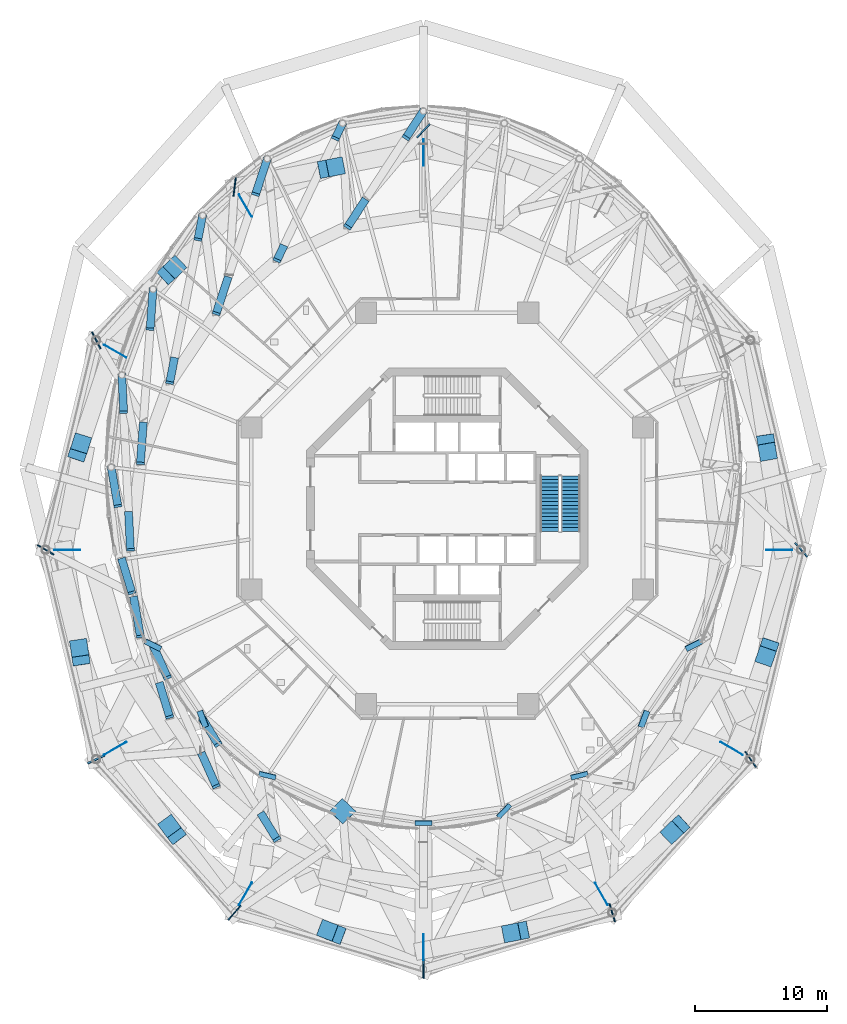
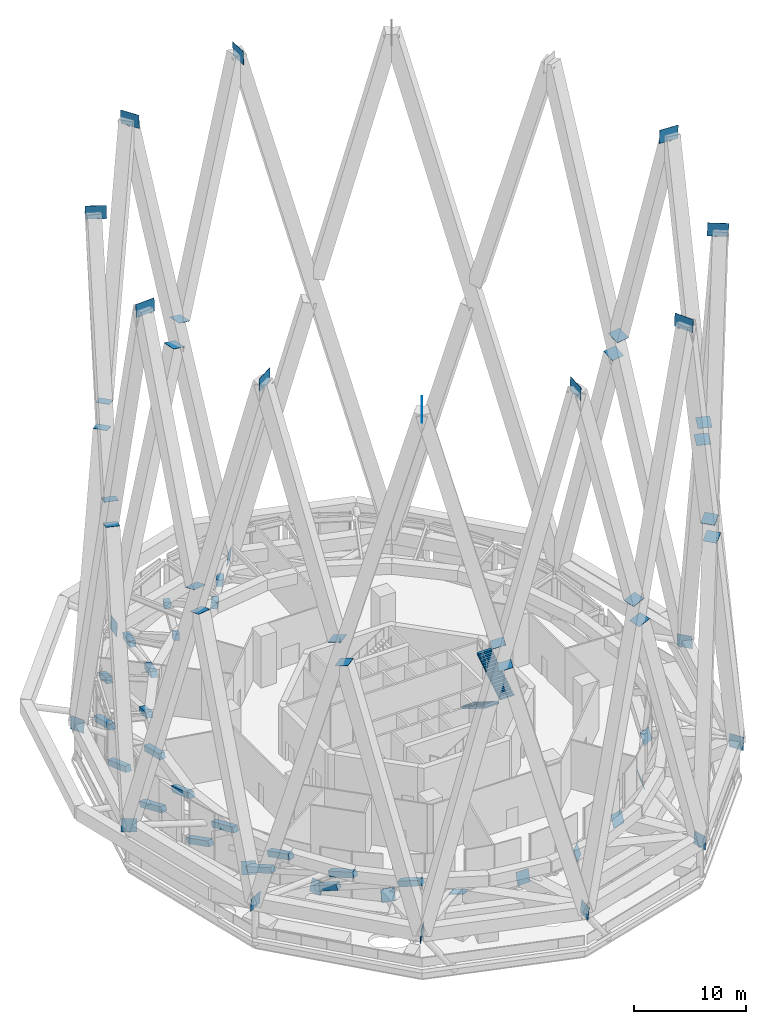
# One storey, part 41 of 48: 69 discrete accessories, 2 stair flights, 1 element without a shape of its own.
"""IFC4 building model written with IfcOpenShell, lengths in metres."""

from ifc_helpers import new_model, si_unit, direction, frame, origin, origin_2d, place, context, subcontext, project, spatial, polyline, rectangle, outline, extrude, material, layer, layer_set, type_object, element, aggregate, save


model = new_model("IFC4")

# Units and contexts
model_context = context("Model", 3, precision=1e-05, world=origin(), true_north=direction((0.0, 1.0)))
body_context = subcontext(model_context, "Body", "Model", "MODEL_VIEW")
ifc_project = project(units=[si_unit("LENGTHUNIT", "METRE"), si_unit("AREAUNIT", "SQUARE_METRE"), si_unit("VOLUMEUNIT", "CUBIC_METRE"), si_unit("PLANEANGLEUNIT", "RADIAN"), si_unit("MASSUNIT", "GRAM", prefix="KILO")], contexts=[model_context])

# Site, building, storey
site_placement = place(None, origin())
site = spatial("IfcSite", under=ifc_project, at=site_placement, CompositionType="ELEMENT")
building_placement = place(site_placement, origin())
building = spatial("IfcBuilding", under=site, at=building_placement, Name="Nagisa Residences", CompositionType="ELEMENT")
storey_placement = place(building_placement, frame((0.0, 0.0, 252.89990234375)))
storey = spatial("IfcBuildingStorey", under=building, at=storey_placement, Name="L64", CompositionType="ELEMENT", Elevation=252.89990234375)

# Stair, stair flights
ifc_material_1 = material(Name="Concrete C60", Category="concrete")
stair_type = type_object("IfcStairType", Name="Exit stair", PredefinedType="HALF_TURN_STAIR", material=ifc_material_1)
stair_placement = place(storey_placement, origin())
stair = element("IfcStair", 1, at=stair_placement, inside=storey, type_object=stair_type, Name="L64 Exit stair E", PredefinedType="HALF_TURN_STAIR")
ifc_material_2 = material(Name="Concrete C60", Category="concrete")
stair_flight_type = type_object("IfcStairFlightType", Name="Exit stair flight", PredefinedType="STRAIGHT", material=ifc_material_2)
stair_flight_1_placement = place(storey_placement, frame((7.737060546875, 2.47509765625, 0.0), z_axis=(0.0, 0.0, 1.0), x_axis=(0.0, -1.0, 0.0)))
stair_flight_1 = element("IfcStairFlight", 2, at=stair_flight_1_placement, type_object=stair_flight_type, Name="ST-E flight 1", NumberOfRisers=16, NumberOfTreads=15, PredefinedType="STRAIGHT", RiserHeight=0.175, TreadLength=0.28, context=body_context, shape_type="SweptSolid", body=[
    extrude(outline(polyline([(0.0, 0.0), (0.0, 0.175048828125), (0.280029296875, 0.175048828125), (0.280029296875, 0.35009765625), (0.56005859375, 0.35009765625), (0.56005859375, 0.52490234375), (0.840087890625, 0.52490234375), (0.840087890625, 0.699951171875), (1.1201171875, 0.699951171875), (1.1201171875, 0.875), (1.39990234375, 0.875), (1.39990234375, 1.050048828125), (1.679931640625, 1.050048828125), (1.679931640625, 1.22509765625), (1.9599609375, 1.22509765625), (1.9599609375, 1.39990234375), (2.239990234375, 1.39990234375), (2.239990234375, 1.574951171875), (2.52001953125, 1.574951171875), (2.52001953125, 1.75), (2.800048828125, 1.75), (2.800048828125, 1.925048828125), (3.080078125, 1.925048828125), (3.080078125, 2.10009765625), (3.360107421875, 2.10009765625), (3.360107421875, 2.27490234375), (3.639892578125, 2.27490234375), (3.639892578125, 2.449951171875), (3.919921875, 2.449951171875), (3.919921875, 2.625), (4.199951171875, 2.625), (4.199951171875, 2.800048828125), (4.199951171875, 2.4482421875), (0.28271484375, 0.0), (0.0, 0.0)])), frame((0.0, 0.71240234375, 0.0), z_axis=(0.0, -1.0, 0.0), x_axis=(1.0, 0.0, 0.0)), (0.0, 0.0, 1.0), 1.425048828125),
])
stair_flight_2_placement = place(storey_placement, frame((9.31201171875, -1.72509765625, 2.800048828125), z_axis=(0.0, 0.0, 1.0), x_axis=(0.0, 1.0, 0.0)))
stair_flight_2 = element("IfcStairFlight", 3, at=stair_flight_2_placement, type_object=stair_flight_type, Name="ST-E flight 2", NumberOfRisers=16, NumberOfTreads=15, PredefinedType="STRAIGHT", RiserHeight=0.175, TreadLength=0.28, context=body_context, shape_type="SweptSolid", body=[
    extrude(outline(polyline([(0.0, 0.0), (0.0, 0.175048828125), (0.280029296875, 0.175048828125), (0.280029296875, 0.35009765625), (0.56005859375, 0.35009765625), (0.56005859375, 0.52490234375), (0.840087890625, 0.52490234375), (0.840087890625, 0.699951171875), (1.1201171875, 0.699951171875), (1.1201171875, 0.875), (1.39990234375, 0.875), (1.39990234375, 1.050048828125), (1.679931640625, 1.050048828125), (1.679931640625, 1.22509765625), (1.9599609375, 1.22509765625), (1.9599609375, 1.39990234375), (2.239990234375, 1.39990234375), (2.239990234375, 1.574951171875), (2.52001953125, 1.574951171875), (2.52001953125, 1.75), (2.800048828125, 1.75), (2.800048828125, 1.925048828125), (3.080078125, 1.925048828125), (3.080078125, 2.10009765625), (3.360107421875, 2.10009765625), (3.360107421875, 2.27490234375), (3.639892578125, 2.27490234375), (3.639892578125, 2.449951171875), (3.919921875, 2.449951171875), (3.919921875, 2.625), (4.199951171875, 2.625), (4.199951171875, 2.800048828125), (4.199951171875, 2.4482421875), (0.28271484375, 0.0), (0.0, 0.0)])), frame((0.0, 0.71240234375, 0.0), z_axis=(0.0, -1.0, 0.0), x_axis=(1.0, 0.0, 0.0)), (0.0, 0.0, 1.0), 1.425048828125),
])
aggregate(stair, [stair_flight_1, stair_flight_2])

# Discrete accessories
ifc_material_3 = material(Name="Steel ASTM A572 Gr 50", Category="steel")
discrete_accessory_type_1 = type_object("IfcDiscreteAccessoryType", Name="Belt node casting BX 600x600x35", PredefinedType="BRACKET", material=ifc_material_3)
for number, where, z_axis, x_axis, name in (
    (4, (-1.800048828125, 30.0078125, 0.60009765625), (-0.509222385047, -0.777886639117, 0.368218602531), (0.836671835275, -0.547704518931, 0.0), "Belt node 5E07"),
    (5, (-6.21142578125, 23.26904296875, 3.7900390625), (-0.509222385047, -0.777886639117, 0.368218602531), (0.836671835275, -0.547704518931, 0.0), "Belt node 5E07"),
):
    element("IfcDiscreteAccessory", number, at=place(storey_placement, frame(where, z_axis=z_axis, x_axis=x_axis)), inside=storey, type_object=discrete_accessory_type_1, Name=name, PredefinedType="BRACKET", context=body_context, shape_type="SweptSolid", body=[
        extrude(rectangle(XDim=0.60009765625, YDim=0.60009765625, at=origin_2d()), origin(), (0.0, 0.0, 1.0), 2.579833984375),
    ])
discrete_accessory_1_placement = place(storey_placement, frame((-7.900390625, 29.091552734375, 0.60009765625), z_axis=(-0.4064389452, -0.848353509453, 0.339269372068), x_axis=(0.901842447948, -0.432065040335, 0.0)))
element("IfcDiscreteAccessory", 6, at=discrete_accessory_1_placement, inside=storey, type_object=discrete_accessory_type_1, Name="Belt node 5E08", PredefinedType="BRACKET", context=body_context, shape_type="SweptSolid", body=[
    extrude(rectangle(XDim=0.60009765625, YDim=0.60009765625, at=origin_2d()), origin(), (0.0, 0.0, 1.0), 1.355712890625),
])
discrete_accessory_2_placement = place(storey_placement, frame((-12.35693359375, 19.790771484375, 4.320068359375), z_axis=(-0.406510283233, -0.84832640863, 0.339251667715), x_axis=(0.901807517254, -0.432137943051, 0.0)))
element("IfcDiscreteAccessory", 7, at=discrete_accessory_2_placement, inside=storey, type_object=discrete_accessory_type_1, Name="Belt node 5E08", PredefinedType="BRACKET", context=body_context, shape_type="SweptSolid", body=[
    extrude(rectangle(XDim=0.60009765625, YDim=0.60009765625, at=origin_2d()), origin(), (0.0, 0.0, 1.0), 1.23779296875),
])
for number, where, z_axis, x_axis, name in (
    (8, (-13.5849609375, 26.405029296875, 0.60009765625), (-0.297283748357, -0.89988815744, 0.319098224788), (0.9495279114, -0.313682555256, 0.0), "Belt node 5E09"),
    (9, (-16.556396484375, 17.408935546875, 3.7900390625), (-0.297187050673, -0.899925688214, 0.319082454241), (0.949562192338, -0.313578766633, 0.0), "Belt node 5E09"),
):
    element("IfcDiscreteAccessory", number, at=place(storey_placement, frame(where, z_axis=z_axis, x_axis=x_axis)), inside=storey, type_object=discrete_accessory_type_1, Name=name, PredefinedType="BRACKET", context=body_context, shape_type="SweptSolid", body=[
        extrude(rectangle(XDim=0.60009765625, YDim=0.60009765625, at=origin_2d()), origin(), (0.0, 0.0, 1.0), 2.97705078125),
    ])
for number, where, z_axis, x_axis, name in (
    (10, (-18.466552734375, 22.1318359375, 0.60009765625), (-0.184162498182, -0.934002847193, 0.306141888179), (0.98110996401, -0.193450868492, 0.0), "Belt node 5E10"),
    (11, (-20.5986328125, 11.3173828125, 4.14501953125), (-0.184162498182, -0.934002847193, 0.306141888179), (0.98110996401, -0.193450868492, 0.0), "Belt node 5E10"),
):
    element("IfcDiscreteAccessory", number, at=place(storey_placement, frame(where, z_axis=z_axis, x_axis=x_axis)), inside=storey, type_object=discrete_accessory_type_1, Name=name, PredefinedType="BRACKET", context=body_context, shape_type="SweptSolid", body=[
        extrude(rectangle(XDim=0.60009765625, YDim=0.60009765625, at=origin_2d()), origin(), (0.0, 0.0, 1.0), 1.943359375),
    ])
for number, where, z_axis, x_axis, name in (
    (12, (-22.212158203125, 16.562744140625, 0.60009765625), (-0.069068560257, -0.951559941644, 0.299605092485), (0.997376104273, -0.07239410629, 0.0), "Belt node 5E11"),
    (13, (-22.947265625, 6.431884765625, 3.7900390625), (-0.069068560257, -0.951559941644, 0.299605092485), (0.997376104273, -0.07239410629, 0.0), "Belt node 5E11"),
):
    element("IfcDiscreteAccessory", number, at=place(storey_placement, frame(where, z_axis=z_axis, x_axis=x_axis)), inside=storey, type_object=discrete_accessory_type_1, Name=name, PredefinedType="BRACKET", context=body_context, shape_type="SweptSolid", body=[
        extrude(rectangle(XDim=0.60009765625, YDim=0.60009765625, at=origin_2d()), origin(), (0.0, 0.0, 1.0), 3.170654296875),
    ])
for number, where, z_axis, x_axis, name in (
    (14, (-24.56689453125, 10.077392578125, 0.60009765625), (0.046709539468, -0.953106908355, 0.29900742494), (0.998801283455, 0.048948913874, 0.0), "Belt node 5E12"),
    (15, (-24.0576171875, -0.31298828125, 3.860107421875), (0.046792323408, -0.953103211542, 0.299006265181), (0.998797029042, 0.049035648014, 0.0), "Belt node 5E12"),
):
    element("IfcDiscreteAccessory", number, at=place(storey_placement, frame(where, z_axis=z_axis, x_axis=x_axis)), inside=storey, type_object=discrete_accessory_type_1, Name=name, PredefinedType="BRACKET", context=body_context, shape_type="SweptSolid", body=[
        extrude(rectangle(XDim=0.60009765625, YDim=0.60009765625, at=origin_2d()), origin(), (0.0, 0.0, 1.0), 2.942626953125),
    ])
for number, where, z_axis, x_axis, name in (
    (16, (-25.3701171875, 3.11767578125, 0.60009765625), (0.162064502909, -0.938675723652, 0.304340241707), (0.985420740247, 0.170135136555, 0.0), "Belt node 5E13"),
    (17, (-23.671875, -6.720458984375, 3.7900390625), (0.16198833935, -0.938687619765, 0.304344098701), (0.985434503601, 0.17005540013, 0.0), "Belt node 5E13"),
):
    element("IfcDiscreteAccessory", number, at=place(storey_placement, frame(where, z_axis=z_axis, x_axis=x_axis)), inside=storey, type_object=discrete_accessory_type_1, Name=name, PredefinedType="BRACKET", context=body_context, shape_type="SweptSolid", body=[
        extrude(rectangle(XDim=0.60009765625, YDim=0.60009765625, at=origin_2d()), origin(), (0.0, 0.0, 1.0), 3.121337890625),
    ])
discrete_accessory_3_placement = place(storey_placement, frame((-24.56689453125, -3.842041015625, 0.60009765625), z_axis=(0.275586233583, -0.907865333793, 0.315963231337), x_axis=(0.956885188586, 0.290466410907, 0.0)))
element("IfcDiscreteAccessory", 18, at=discrete_accessory_3_placement, inside=storey, type_object=discrete_accessory_type_1, Name="Belt node 5E14", PredefinedType="BRACKET", context=body_context, shape_type="SweptSolid", body=[
    extrude(rectangle(XDim=0.60009765625, YDim=0.60009765625, at=origin_2d()), origin(), (0.0, 0.0, 1.0), 2.769287109375),
])
discrete_accessory_4_placement = place(storey_placement, frame((-21.719482421875, -13.223388671875, 3.864990234375), z_axis=(0.275482716711, -0.907902879812, 0.315945618142), x_axis=(0.956918846093, 0.290355509665, 0.0)))
element("IfcDiscreteAccessory", 19, at=discrete_accessory_4_placement, inside=storey, type_object=discrete_accessory_type_1, Name="Belt node 5E14", PredefinedType="BRACKET", context=body_context, shape_type="SweptSolid", body=[
    extrude(rectangle(XDim=0.60009765625, YDim=0.60009765625, at=origin_2d()), origin(), (0.0, 0.0, 1.0), 2.76953125),
])
discrete_accessory_5_placement = place(storey_placement, frame((-22.212158203125, -10.327392578125, 0.60009765625), z_axis=(0.385626965707, -0.859834612654, 0.334628573498), x_axis=(0.912436481249, 0.409218361864, 0.0)))
element("IfcDiscreteAccessory", 20, at=discrete_accessory_5_placement, inside=storey, type_object=discrete_accessory_type_1, Name="Belt node 5E15", PredefinedType="BRACKET", context=body_context, shape_type="SweptSolid", body=[
    extrude(rectangle(XDim=0.60009765625, YDim=0.60009765625, at=origin_2d()), origin(), (0.0, 0.0, 1.0), 2.8388671875),
])
discrete_accessory_6_placement = place(storey_placement, frame((-18.535888671875, -18.52392578125, 3.7900390625), z_axis=(0.385598451739, -0.859857029202, 0.334603830445), x_axis=(0.912451762027, 0.409184288522, 0.0)))
element("IfcDiscreteAccessory", 21, at=discrete_accessory_6_placement, inside=storey, type_object=discrete_accessory_type_1, Name="Belt node 5E15", PredefinedType="BRACKET", context=body_context, shape_type="SweptSolid", body=[
    extrude(rectangle(XDim=0.60009765625, YDim=0.60009765625, at=origin_2d()), origin(), (0.0, 0.0, 1.0), 2.839111328125),
])
discrete_accessory_7_placement = place(storey_placement, frame((-18.466552734375, -15.896484375, 0.60009765625), z_axis=(0.489837934862, -0.793220775166, 0.361745213396), x_axis=(0.850842375235, 0.525421024041, 0.0)))
element("IfcDiscreteAccessory", 22, at=discrete_accessory_7_placement, inside=storey, type_object=discrete_accessory_type_1, Name="Belt node 5E16", PredefinedType="BRACKET", context=body_context, shape_type="SweptSolid", body=[
    extrude(rectangle(XDim=0.60009765625, YDim=0.60009765625, at=origin_2d()), origin(), (0.0, 0.0, 1.0), 2.4052734375),
])
discrete_accessory_8_placement = place(storey_placement, frame((-14.0380859375, -23.068115234375, 3.8701171875), z_axis=(0.48977876614, -0.793289338318, 0.361674972799), x_axis=(0.850891046087, 0.525342200559, 0.0)))
element("IfcDiscreteAccessory", 23, at=discrete_accessory_8_placement, inside=storey, type_object=discrete_accessory_type_1, Name="Belt node 5E16", PredefinedType="BRACKET", context=body_context, shape_type="SweptSolid", body=[
    extrude(rectangle(XDim=0.60009765625, YDim=0.60009765625, at=origin_2d()), origin(), (0.0, 0.0, 1.0), 2.405029296875),
])
ifc_material_4 = material(Name="Steel ASTM A572 Gr 50", Category="steel")
ifc_layer = layer(ifc_material_4, 0.030029296875)
ifc_layer_set = layer_set([ifc_layer], Name="Node plate")
discrete_accessory_type_2 = type_object("IfcDiscreteAccessoryType", Name="Node plate", PredefinedType="ANCHORPLATE", material=ifc_layer_set)
discrete_accessory_9_placement = place(storey_placement, frame((26.708740234375, -3.127685546875, 3.698974609375), z_axis=(0.744530562215, 0.663603327191, 0.072834511521), x_axis=(-0.6656230704, 0.746272841958, 0.004772159581)))
element("IfcDiscreteAccessory", 24, at=discrete_accessory_9_placement, inside=storey, type_object=discrete_accessory_type_2, Name="Node plate ST6B01", PredefinedType="ANCHORPLATE", context=body_context, shape_type="SweptSolid", body=[
    extrude(rectangle(XDim=1.419921875, YDim=1.419921875, at=origin_2d()), origin(), (0.0, 0.0, 1.0), 0.0302734375),
])
for number, where, z_axis, x_axis, name in (
    (25, (-1.810791015625, 28.53271484375, 3.701171875), (0.721245028781, -0.68882952187, -0.072934890551), (-0.690458125451, -0.72336191661, 0.00388774963), "Node plate ST6B04"),
    (26, (-16.074951171875, 24.28515625, 3.700927734375), (0.990920651032, -0.121834506274, -0.056856102928), (-0.121840094797, -0.992543983405, 0.003381169406), "Node plate ST6B05"),
    (27, (-26.48583984375, 12.709228515625, 3.699462890625), (-0.888413127327, -0.456432432388, 0.048903474899), (0.457113168049, -0.889403041568, 0.003127498263), "Node plate ST6B06"),
    (28, (-30.3125, -3.104736328125, 3.699462890625), (-0.504281746037, -0.862159114192, 0.048801459294), (0.863255250627, -0.504759376567, 0.002888603803), "Node plate ST6B07"),
):
    element("IfcDiscreteAccessory", number, at=place(storey_placement, frame(where, z_axis=z_axis, x_axis=x_axis)), inside=storey, type_object=discrete_accessory_type_2, Name=name, PredefinedType="ANCHORPLATE", context=body_context, shape_type="SweptSolid", body=[
        extrude(rectangle(XDim=1.419921875, YDim=1.419921875, at=origin_2d()), origin(), (0.0, 0.0, 1.0), 0.030029296875),
    ])
discrete_accessory_10_placement = place(storey_placement, frame((-26.50537109375, -18.92431640625, 3.701416015625), z_axis=(0.425643664716, -0.900400059977, -0.090040005998), x_axis=(0.904864665635, 0.424276139337, 0.034780662359)))
element("IfcDiscreteAccessory", 29, at=discrete_accessory_10_placement, inside=storey, type_object=discrete_accessory_type_2, Name="Node plate ST6B08", PredefinedType="ANCHORPLATE", context=body_context, shape_type="SweptSolid", body=[
    extrude(rectangle(XDim=1.419921875, YDim=1.419921875, at=origin_2d()), origin(), (0.0, 0.0, 1.0), 0.02978515625),
])
discrete_accessory_11_placement = place(storey_placement, frame((-16.048583984375, -30.528564453125, 3.699462890625), z_axis=(-0.757475678997, 0.651591981933, 0.040724498871), x_axis=(0.652388700013, 0.757829146102, 0.00916348261)))
element("IfcDiscreteAccessory", 30, at=discrete_accessory_11_placement, inside=storey, type_object=discrete_accessory_type_2, Name="Node plate ST6B09", PredefinedType="ANCHORPLATE", context=body_context, shape_type="SweptSolid", body=[
    extrude(rectangle(XDim=1.419921875, YDim=1.419921875, at=origin_2d()), origin(), (0.0, 0.0, 1.0), 0.030029296875),
])
discrete_accessory_12_placement = place(storey_placement, frame((-1.78515625, -34.758056640625, 3.698974609375), z_axis=(-0.996990261709, 0.024516153976, 0.073548461929), x_axis=(0.02717614337, 0.999004136124, 0.035386342534)))
element("IfcDiscreteAccessory", 31, at=discrete_accessory_12_placement, inside=storey, type_object=discrete_accessory_type_2, Name="Node plate ST6B10", PredefinedType="ANCHORPLATE", context=body_context, shape_type="SweptSolid", body=[
    extrude(rectangle(XDim=1.419921875, YDim=1.419921875, at=origin_2d()), origin(), (0.0, 0.0, 1.0), 0.02978515625),
])
for number, where, z_axis, x_axis, name in (
    (32, (12.474365234375, -30.514404296875, 3.699462890625), (-0.957578990931, -0.284027666802, 0.048690457166), (-0.283530630564, 0.958812959899, 0.016973198325), "Node plate ST6B11"),
    (33, (22.88671875, -18.9462890625, 3.70068359375), (0.821219637156, 0.569162124761, -0.040654437483), (-0.569257746862, 0.822094407016, 0.010315211604), "Node plate ST6B12"),
):
    element("IfcDiscreteAccessory", number, at=place(storey_placement, frame(where, z_axis=z_axis, x_axis=x_axis)), inside=storey, type_object=discrete_accessory_type_2, Name=name, PredefinedType="ANCHORPLATE", context=body_context, shape_type="SweptSolid", body=[
        extrude(rectangle(XDim=1.419921875, YDim=1.419921875, at=origin_2d()), origin(), (0.0, 0.0, 1.0), 0.030029296875),
    ])
for number, where, z_axis, x_axis, name in (
    (34, (-18.466552734375, -15.896484375, 0.60009765625), (0.87862973118, 0.33355387943, -0.341689339903), (-0.354915174115, 0.934898507424, 0.0), "Node plate OB601"),
    (35, (-22.212158203125, -10.327392578125, 0.60009765625), (0.422150798154, 0.852419880887, -0.308494814035), (-0.896127585788, 0.443796518676, 0.0), "Node plate OB602"),
    (36, (-13.5849609375, -20.169677734375, 0.60009765625), (0.219650164064, 0.935546995085, -0.276596502895), (-0.973528076421, 0.228567461421, 0.0), "Node plate OB603"),
):
    element("IfcDiscreteAccessory", number, at=place(storey_placement, frame(where, z_axis=z_axis, x_axis=x_axis)), inside=storey, type_object=discrete_accessory_type_2, Name=name, PredefinedType="ANCHORPLATE", context=body_context, shape_type="SweptSolid", body=[
        extrude(rectangle(XDim=1.300048828125, YDim=1.300048828125, at=origin_2d()), origin(), (0.0, 0.0, 1.0), 0.030029296875),
    ])
discrete_accessory_13_placement = place(storey_placement, frame((-7.901611328125, -22.8603515625, 0.585693359375), z_axis=(0.080792420088, 0.290852712315, 0.953350557033), x_axis=(-0.690781885123, -0.673177662557, 0.263917073757)))
element("IfcDiscreteAccessory", 37, at=discrete_accessory_13_placement, inside=storey, type_object=discrete_accessory_type_2, Name="Node plate OB604", PredefinedType="ANCHORPLATE", context=body_context, shape_type="SweptSolid", body=[
    extrude(rectangle(XDim=1.419921875, YDim=1.419921875, at=origin_2d()), origin(), (0.0, 0.0, 1.0), 0.0302734375),
])
for number, where, z_axis, x_axis, name in (
    (38, (-1.800048828125, -23.772216796875, 0.60009765625), (0.0, 0.963048734757, -0.269327188534), (-1.0, 0.0, 0.0), "Node plate OB605"),
    (39, (9.985107421875, -20.169677734375, 0.60009765625), (-0.227371917329, 0.933848946174, -0.276094471043), (-0.971615138248, -0.236567164095, 0.0), "Node plate OB607"),
    (40, (4.30029296875, -22.85595703125, 0.60009765625), (-0.701112842841, 0.660350468257, -0.269031672253), (-0.685628685841, -0.727951444227, 0.0), "Node plate OB608"),
    (41, (14.866455078125, -15.896484375, 0.60009765625), (-0.87862973118, 0.33355387943, -0.341689339903), (-0.354915174115, -0.934898507424, 0.0), "Node plate OB609"),
    (42, (18.6123046875, -10.327392578125, 0.60009765625), (-0.422150798154, 0.852419880887, -0.308494814035), (-0.896127585788, -0.443796518676, 0.0), "Node plate OB610"),
    (43, (24.08642578125, 4.94287109375, 30.97119140625), (0.040682687952, -0.276642278071, 0.96011143566), (0.989359135365, 0.145493990495, 0.0), "Node plate CD6002A"),
    (44, (24.187744140625, 4.28173828125, 33.29443359375), (-0.048801459294, 0.276541602665, -0.95976203278), (-0.984783558818, -0.173785333909, 0.0), "Node plate CD6002B"),
):
    element("IfcDiscreteAccessory", number, at=place(storey_placement, frame(where, z_axis=z_axis, x_axis=x_axis)), inside=storey, type_object=discrete_accessory_type_2, Name=name, PredefinedType="ANCHORPLATE", context=body_context, shape_type="SweptSolid", body=[
        extrude(rectangle(XDim=1.300048828125, YDim=1.300048828125, at=origin_2d()), origin(), (0.0, 0.0, 1.0), 0.030029296875),
    ])
discrete_accessory_14_placement = place(storey_placement, frame((25.080078125, -3.1328125, 59.300048828125), z_axis=(0.0, 1.0, 0.0), x_axis=(-0.043501146626, 0.0, -0.999053377074)))
element("IfcDiscreteAccessory", 45, at=discrete_accessory_14_placement, inside=storey, type_object=discrete_accessory_type_2, Name="Node plate CD6002B", PredefinedType="ANCHORPLATE", context=body_context, shape_type="SweptSolid", body=[
    extrude(rectangle(XDim=1.44091796875, YDim=1.899658203125, at=origin_2d()), origin(), (0.0, 0.0, 1.0), 0.030029296875),
])
discrete_accessory_15_placement = place(storey_placement, frame((-1.784912109375, 26.88232421875, 59.300048828125), z_axis=(-1.0, 0.0, 0.0), x_axis=(0.0, -0.05099393233, -0.998698963084)))
element("IfcDiscreteAccessory", 46, at=discrete_accessory_15_placement, inside=storey, type_object=discrete_accessory_type_2, Name="Node plate CD6005", PredefinedType="ANCHORPLATE", context=body_context, shape_type="SweptSolid", body=[
    extrude(rectangle(XDim=1.444580078125, YDim=1.8994140625, at=origin_2d()), origin(), (0.0, 0.0, 1.0), 0.030029296875),
])
discrete_accessory_16_placement = place(storey_placement, frame((-15.22705078125, 22.87060546875, 59.300048828125), z_axis=(-0.863187603129, -0.504883315038, 0.0), x_axis=(0.018684591237, -0.031944623728, -0.999314978906)))
element("IfcDiscreteAccessory", 47, at=discrete_accessory_16_placement, inside=storey, type_object=discrete_accessory_type_2, Name="Node plate CD6007", PredefinedType="ANCHORPLATE", context=body_context, shape_type="SweptSolid", body=[
    extrude(rectangle(XDim=1.437744140625, YDim=1.899658203125, at=origin_2d()), origin(), (0.0, 0.0, 1.0), 0.030029296875),
])
for number, where, z_axis, x_axis, name in (
    (48, (-9.0771484375, 25.673583984375, 30.926513671875), (0.251791312967, 0.04873380251, 0.966553749777), (-0.190021906566, 0.98177985059, 0.0), "Node plate CD6008A"),
    (49, (-8.427001953125, 25.802978515625, 33.46142578125), (-0.24416079322, -0.048832158644, -0.968504479771), (0.196116135138, -0.980580675691, 0.0), "Node plate CD6008B"),
):
    element("IfcDiscreteAccessory", number, at=place(storey_placement, frame(where, z_axis=z_axis, x_axis=x_axis)), inside=storey, type_object=discrete_accessory_type_2, Name=name, PredefinedType="ANCHORPLATE", context=body_context, shape_type="SweptSolid", body=[
        extrude(rectangle(XDim=1.300048828125, YDim=1.300048828125, at=origin_2d()), origin(), (0.0, 0.0, 1.0), 0.030029296875),
    ])
discrete_accessory_17_placement = place(storey_placement, frame((-25.0712890625, 11.895263671875, 59.300048828125), z_axis=(-0.498778343083, -0.866729579783, 0.0), x_axis=(0.028820163374, -0.016585188357, -0.999447011957)))
element("IfcDiscreteAccessory", 50, at=discrete_accessory_17_placement, inside=storey, type_object=discrete_accessory_type_2, Name="Node plate CD6009", PredefinedType="ANCHORPLATE", context=body_context, shape_type="SweptSolid", body=[
    extrude(rectangle(XDim=1.43603515625, YDim=1.899658203125, at=origin_2d()), origin(), (0.0, 0.0, 1.0), 0.02978515625),
])
for number, where, z_axis, x_axis, name in (
    (51, (-21.039794921875, 17.783935546875, 30.949462890625), (0.194531371515, 0.178320423889, 0.964551383764), (-0.675724628517, 0.737154140201, 0.0), "Node plate CD6010A"),
    (52, (-20.554443359375, 18.23583984375, 33.3720703125), (-0.195770026444, -0.187612942008, -0.962535963347), (0.691905363236, -0.721988205115, 0.0), "Node plate CD6010B"),
):
    element("IfcDiscreteAccessory", number, at=place(storey_placement, frame(where, z_axis=z_axis, x_axis=x_axis)), inside=storey, type_object=discrete_accessory_type_2, Name=name, PredefinedType="ANCHORPLATE", context=body_context, shape_type="SweptSolid", body=[
        extrude(rectangle(XDim=1.300048828125, YDim=1.300048828125, at=origin_2d()), origin(), (0.0, 0.0, 1.0), 0.030029296875),
    ])
discrete_accessory_18_placement = place(storey_placement, frame((-28.679931640625, -3.102783203125, 59.300048828125), z_axis=(0.0, -1.0, 0.0), x_axis=(0.043501146626, 0.0, -0.999053377074)))
element("IfcDiscreteAccessory", 53, at=discrete_accessory_18_placement, inside=storey, type_object=discrete_accessory_type_2, Name="Node plate CD6011", PredefinedType="ANCHORPLATE", context=body_context, shape_type="SweptSolid", body=[
    extrude(rectangle(XDim=1.44091796875, YDim=1.899658203125, at=origin_2d()), origin(), (0.0, 0.0, 1.0), 0.030029296875),
])
for number, where, z_axis, x_axis, name in (
    (54, (-27.851318359375, 4.29833984375, 30.970947265625), (0.089608760225, 0.260680029746, 0.961257609688), (-0.945686599305, 0.325079768511, 0.0), "Node plate CD6012A"),
    (55, (-27.640869140625, 4.930419921875, 33.295166015625), (-0.081519331341, -0.26086186029, -0.961928109821), (0.954479978035, -0.298274993136, 0.0), "Node plate CD6012B"),
):
    element("IfcDiscreteAccessory", number, at=place(storey_placement, frame(where, z_axis=z_axis, x_axis=x_axis)), inside=storey, type_object=discrete_accessory_type_2, Name=name, PredefinedType="ANCHORPLATE", context=body_context, shape_type="SweptSolid", body=[
        extrude(rectangle(XDim=1.300048828125, YDim=1.300048828125, at=origin_2d()), origin(), (0.0, 0.0, 1.0), 0.030029296875),
    ])
discrete_accessory_19_placement = place(storey_placement, frame((-25.086181640625, -18.104736328125, 59.300048828125), z_axis=(0.498778343083, -0.866729579783, 0.0), x_axis=(0.049802738446, 0.028660066464, -0.998347779)))
element("IfcDiscreteAccessory", 56, at=discrete_accessory_19_placement, inside=storey, type_object=discrete_accessory_type_2, Name="Node plate CD6013", PredefinedType="ANCHORPLATE", context=body_context, shape_type="SweptSolid", body=[
    extrude(rectangle(XDim=1.447509765625, YDim=1.899169921875, at=origin_2d()), origin(), (0.0, 0.0, 1.0), 0.02978515625),
])
for number, where, z_axis, x_axis, name in (
    (57, (-27.6865234375, -11.17822265625, 30.97119140625), (-0.040682687952, 0.276642278071, 0.96011143566), (-0.989359135365, -0.145493990495, 0.0), "Node plate CD6014A"),
    (58, (-27.78759765625, -10.51708984375, 33.29443359375), (0.040682687952, -0.276642278071, -0.96011143566), (0.989359135365, 0.145493990495, 0.0), "Node plate CD6014B"),
):
    element("IfcDiscreteAccessory", number, at=place(storey_placement, frame(where, z_axis=z_axis, x_axis=x_axis)), inside=storey, type_object=discrete_accessory_type_2, Name=name, PredefinedType="ANCHORPLATE", context=body_context, shape_type="SweptSolid", body=[
        extrude(rectangle(XDim=1.300048828125, YDim=1.300048828125, at=origin_2d()), origin(), (0.0, 0.0, 1.0), 0.030029296875),
    ])
discrete_accessory_20_placement = place(storey_placement, frame((-15.2529296875, -29.091064453125, 59.300048828125), z_axis=(0.866729579783, -0.498778343083, 0.0), x_axis=(0.030523435239, 0.053040723531, -0.998125744357)))
element("IfcDiscreteAccessory", 59, at=discrete_accessory_20_placement, inside=storey, type_object=discrete_accessory_type_2, Name="Node plate CD6015", PredefinedType="ANCHORPLATE", context=body_context, shape_type="SweptSolid", body=[
    extrude(rectangle(XDim=1.449462890625, YDim=1.899169921875, at=origin_2d()), origin(), (0.0, 0.0, 1.0), 0.02978515625),
])
for number, where, z_axis, x_axis, name in (
    (60, (-20.58203125, -24.499755859375, 30.949951171875), (-0.163299316186, 0.212289111041, 0.963465965495), (-0.792623989105, -0.60971076085, 0.0), "Node plate CD6016A"),
    (61, (-20.983642578125, -23.965087890625, 33.370849609375), (0.155336419151, -0.212565626207, -0.96472091894), (0.807391122258, 0.590016589342, 0.0), "Node plate CD6016B"),
):
    element("IfcDiscreteAccessory", number, at=place(storey_placement, frame(where, z_axis=z_axis, x_axis=x_axis)), inside=storey, type_object=discrete_accessory_type_2, Name=name, PredefinedType="ANCHORPLATE", context=body_context, shape_type="SweptSolid", body=[
        extrude(rectangle(XDim=1.300048828125, YDim=1.300048828125, at=origin_2d()), origin(), (0.0, 0.0, 1.0), 0.02978515625),
    ])
discrete_accessory_21_placement = place(storey_placement, frame((-1.81494140625, -33.11767578125, 59.300048828125), z_axis=(1.0, 0.0, 0.0), x_axis=(0.0, 0.050993932347, -0.998698963083)))
element("IfcDiscreteAccessory", 62, at=discrete_accessory_21_placement, inside=storey, type_object=discrete_accessory_type_2, Name="Node plate CD6017", PredefinedType="ANCHORPLATE", context=body_context, shape_type="SweptSolid", body=[
    extrude(rectangle(XDim=1.444580078125, YDim=1.8994140625, at=origin_2d()), origin(), (0.0, 0.0, 1.0), 0.030029296875),
])
for number, where, z_axis, x_axis, name in (
    (63, (-8.440185546875, -32.088134765625, 30.926513671875), (-0.235819124035, 0.089448633255, 0.967671577938), (-0.354654234121, -0.934997526318, 0.0), "Node plate CD6018A"),
    (64, (-9.05810546875, -31.83984375, 33.4609375), (0.235819124035, -0.089448633255, -0.967671577938), (0.354654234121, 0.934997526318, 0.0), "Node plate CD6018B"),
):
    element("IfcDiscreteAccessory", number, at=place(storey_placement, frame(where, z_axis=z_axis, x_axis=x_axis)), inside=storey, type_object=discrete_accessory_type_2, Name=name, PredefinedType="ANCHORPLATE", context=body_context, shape_type="SweptSolid", body=[
        extrude(rectangle(XDim=1.300048828125, YDim=1.300048828125, at=origin_2d()), origin(), (0.0, 0.0, 1.0), 0.030029296875),
    ])
discrete_accessory_22_placement = place(storey_placement, frame((11.626953125, -29.10595703125, 59.300048828125), z_axis=(0.868742338001, 0.495264323533, 0.0), x_axis=(-0.018328614077, 0.032150191905, -0.999314978906)))
element("IfcDiscreteAccessory", 65, at=discrete_accessory_22_placement, inside=storey, type_object=discrete_accessory_type_2, Name="Node plate CD6019", PredefinedType="ANCHORPLATE", context=body_context, shape_type="SweptSolid", body=[
    extrude(rectangle(XDim=1.437744140625, YDim=1.899658203125, at=origin_2d()), origin(), (0.0, 0.0, 1.0), 0.030029296875),
])
for number, where, z_axis, x_axis, name in (
    (66, (5.47705078125, -31.908935546875, 30.926513671875), (-0.24416079322, -0.048832158644, 0.968504479771), (0.196116135138, -0.980580675691, 0.0), "Node plate CD6020A"),
    (67, (4.826904296875, -32.038330078125, 33.46142578125), (0.251791312967, 0.04873380251, -0.966553749777), (-0.190021906566, 0.98177985059, 0.0), "Node plate CD6020B"),
):
    element("IfcDiscreteAccessory", number, at=place(storey_placement, frame(where, z_axis=z_axis, x_axis=x_axis)), inside=storey, type_object=discrete_accessory_type_2, Name=name, PredefinedType="ANCHORPLATE", context=body_context, shape_type="SweptSolid", body=[
        extrude(rectangle(XDim=1.300048828125, YDim=1.300048828125, at=origin_2d()), origin(), (0.0, 0.0, 1.0), 0.030029296875),
    ])
discrete_accessory_23_placement = place(storey_placement, frame((21.47119140625, -18.130615234375, 59.300048828125), z_axis=(0.504883315038, 0.863187603129, 0.0), x_axis=(-0.028702386924, 0.016788188578, -0.999447011957)))
element("IfcDiscreteAccessory", 68, at=discrete_accessory_23_placement, inside=storey, type_object=discrete_accessory_type_2, Name="Node plate CD6021", PredefinedType="ANCHORPLATE", context=body_context, shape_type="SweptSolid", body=[
    extrude(rectangle(XDim=1.43603515625, YDim=1.899658203125, at=origin_2d()), origin(), (0.0, 0.0, 1.0), 0.030029296875),
])
discrete_accessory_24_placement = place(storey_placement, frame((17.43994140625, -24.019287109375, 30.949462890625), z_axis=(-0.194531371515, -0.178320423889, 0.964551383764), x_axis=(0.675724628517, -0.737154140201, 0.0)))
element("IfcDiscreteAccessory", 69, at=discrete_accessory_24_placement, inside=storey, type_object=discrete_accessory_type_2, Name="Node plate CD6022A", PredefinedType="ANCHORPLATE", context=body_context, shape_type="SweptSolid", body=[
    extrude(rectangle(XDim=1.300048828125, YDim=1.300048828125, at=origin_2d()), origin(), (0.0, 0.0, 1.0), 0.030029296875),
])
discrete_accessory_25_placement = place(storey_placement, frame((16.95458984375, -24.47119140625, 33.3720703125), z_axis=(0.188189828085, 0.180007661646, -0.965495639739), x_axis=(-0.691222645967, 0.722641857148, 0.0)))
element("IfcDiscreteAccessory", 70, at=discrete_accessory_25_placement, inside=storey, type_object=discrete_accessory_type_2, Name="Node plate CD6022B", PredefinedType="ANCHORPLATE", context=body_context, shape_type="SweptSolid", body=[
    extrude(rectangle(XDim=1.300048828125, YDim=1.300048828125, at=origin_2d()), origin(), (0.0, 0.0, 1.0), 0.02978515625),
])
for number, where, z_axis, x_axis, name in (
    (71, (24.251220703125, -10.53369140625, 30.970947265625), (-0.089416119913, -0.26824835974, 0.959191104523), (0.948683298051, -0.316227766017, 0.0), "Node plate CD6024A"),
    (72, (24.040771484375, -11.165771484375, 33.295166015625), (0.089608760225, 0.260680029746, -0.961257609688), (-0.945686599305, 0.325079768511, 0.0), "Node plate CD6024B"),
):
    element("IfcDiscreteAccessory", number, at=place(storey_placement, frame(where, z_axis=z_axis, x_axis=x_axis)), inside=storey, type_object=discrete_accessory_type_2, Name=name, PredefinedType="ANCHORPLATE", context=body_context, shape_type="SweptSolid", body=[
        extrude(rectangle(XDim=1.300048828125, YDim=1.300048828125, at=origin_2d()), origin(), (0.0, 0.0, 1.0), 0.030029296875),
    ])

save(model, "model.ifc")
